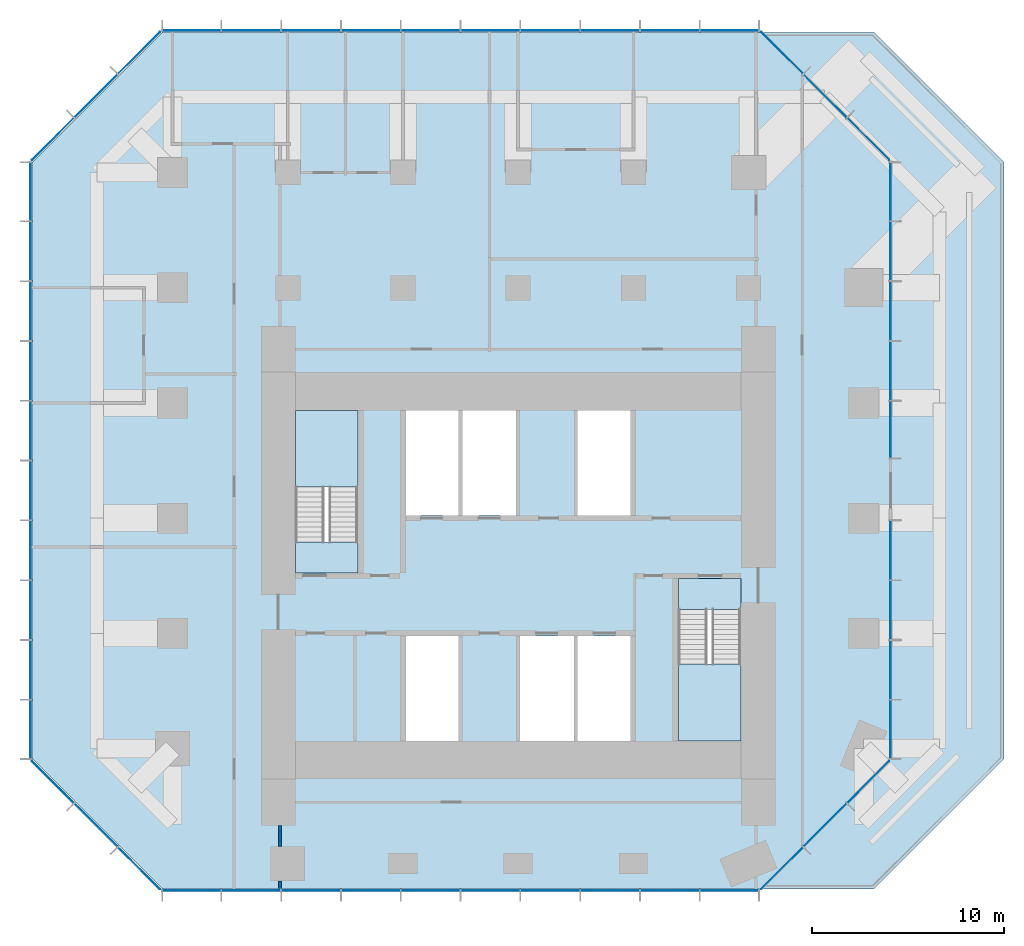
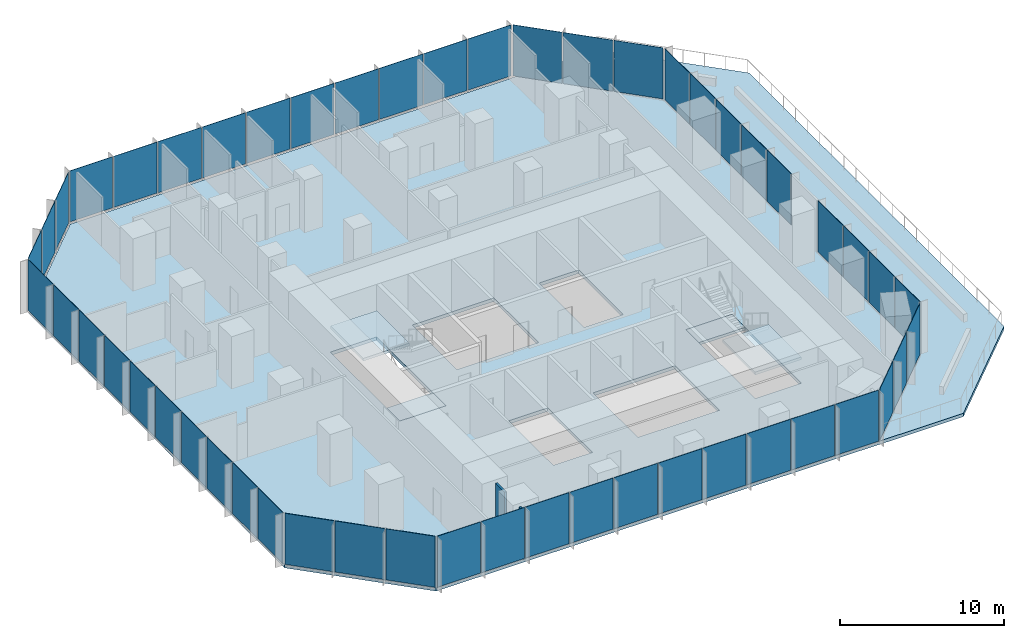
# One storey, part 7 of 11: 51 plates, 5 slabs, 2 walls, 11 elements without a shape of their own.
"""IFC4 building model written with IfcOpenShell, lengths in metres."""

from ifc_helpers import new_model, si_unit, direction, frame, frame_2d, origin, origin_2d, place, context, subcontext, project, spatial, polyline, rectangle, outline, extrude, material, layer, layer_set, type_object, element, aggregate, save


model = new_model("IFC4")

# Units and contexts
model_context = context("Model", 3, precision=1e-05, world=origin(), true_north=direction((0.0, 1.0)))
body_context = subcontext(model_context, "Body", "Model", "MODEL_VIEW")
ifc_project = project(units=[si_unit("LENGTHUNIT", "METRE"), si_unit("AREAUNIT", "SQUARE_METRE"), si_unit("VOLUMEUNIT", "CUBIC_METRE"), si_unit("PLANEANGLEUNIT", "RADIAN"), si_unit("MASSUNIT", "GRAM", prefix="KILO")], contexts=[model_context])

# Site, building, storey
site_placement = place(None, origin())
site = spatial("IfcSite", under=ifc_project, at=site_placement, CompositionType="ELEMENT")
building_placement = place(site_placement, origin())
building = spatial("IfcBuilding", under=site, at=building_placement, Name="Highveld Stack Headquarters", CompositionType="ELEMENT")
storey_placement = place(building_placement, frame((0.0, 0.0, 188.89990234375)))
storey = spatial("IfcBuildingStorey", under=building, at=storey_placement, Name="L46", CompositionType="ELEMENT", Elevation=188.89990234375)

# Curtain wall, plates
ifc_material_1 = material(Name="Aluminium bronze anodised", Category="aluminium")
ifc_layer_1 = layer(ifc_material_1, 0.199951171875)
ifc_layer_set_1 = layer_set([ifc_layer_1], Name="Aluminium bronze anodised")
curtain_wall_type_1 = type_object("IfcCurtainWallType", Name="CW1 TOWER UNITISED CURTAIN WALL", PredefinedType="NOTDEFINED", material=ifc_layer_set_1)
curtain_wall_1_placement = place(storey_placement, origin())
curtain_wall_1 = element("IfcCurtainWall", 1, at=curtain_wall_1_placement, inside=storey, type_object=curtain_wall_type_1, Name="Curtain wall CW1 L46 S", PredefinedType="NOTDEFINED")
ifc_material_2 = material(Name="Glass bronze tinted double glazed unit", Category="glass")
ifc_layer_2 = layer(ifc_material_2, 0.028076171875)
ifc_layer_set_2 = layer_set([ifc_layer_2], Name="Glass bronze tinted double glazed unit")
plate_type_1 = type_object("IfcPlateType", Name="CW1 PANEL BRONZE TINTED DOUBLE GLAZED UNIT", PredefinedType="CURTAIN_PANEL", material=ifc_layer_set_2)
plate_1_placement = place(storey_placement, frame((-11.005615234375, -13.39990234375, 0.10009765625), z_axis=(0.0, 0.0, 1.0), x_axis=(1.0, 0.0, 0.0)))
plate_1 = element("IfcPlate", 2, at=plate_1_placement, type_object=plate_type_1, Name="CW1 panel L46 1.1", PredefinedType="CURTAIN_PANEL", context=body_context, shape_type="SweptSolid", body=[
    extrude(rectangle(XDim=3.0185546875, YDim=0.028076171875, at=origin_2d()), origin(), (0.0, 0.0, 1.0), 3.800048828125),
])
plate_2_placement = place(storey_placement, frame((-7.906005859375, -13.39990234375, 0.10009765625), z_axis=(0.0, 0.0, 1.0), x_axis=(1.0, 0.0, 0.0)))
plate_2 = element("IfcPlate", 3, at=plate_2_placement, type_object=plate_type_1, Name="CW1 panel L46 2.1", PredefinedType="CURTAIN_PANEL", context=body_context, shape_type="SweptSolid", body=[
    extrude(rectangle(XDim=3.051025390625, YDim=0.028076171875, at=origin_2d()), origin(), (0.0, 0.0, 1.0), 3.800048828125),
])
plate_3_placement = place(storey_placement, frame((-4.7900390625, -13.39990234375, 0.10009765625), z_axis=(0.0, 0.0, 1.0), x_axis=(1.0, 0.0, 0.0)))
plate_3 = element("IfcPlate", 4, at=plate_3_placement, type_object=plate_type_1, Name="CW1 panel L46 3.1", PredefinedType="CURTAIN_PANEL", context=body_context, shape_type="SweptSolid", body=[
    extrude(rectangle(XDim=3.051025390625, YDim=0.028076171875, at=origin_2d()), origin(), (0.0, 0.0, 1.0), 3.800048828125),
])
plate_4_placement = place(storey_placement, frame((-1.674072265625, -13.39990234375, 0.10009765625), z_axis=(0.0, 0.0, 1.0), x_axis=(1.0, 0.0, 0.0)))
plate_4 = element("IfcPlate", 5, at=plate_4_placement, type_object=plate_type_1, Name="CW1 panel L46 4.1", PredefinedType="CURTAIN_PANEL", context=body_context, shape_type="SweptSolid", body=[
    extrude(rectangle(XDim=3.051025390625, YDim=0.028076171875, at=origin_2d()), origin(), (0.0, 0.0, 1.0), 3.800048828125),
])
plate_5_placement = place(storey_placement, frame((1.44189453125, -13.39990234375, 0.10009765625), z_axis=(0.0, 0.0, 1.0), x_axis=(1.0, 0.0, 0.0)))
plate_5 = element("IfcPlate", 6, at=plate_5_placement, type_object=plate_type_1, Name="CW1 panel L46 5.1", PredefinedType="CURTAIN_PANEL", context=body_context, shape_type="SweptSolid", body=[
    extrude(rectangle(XDim=3.051025390625, YDim=0.028076171875, at=origin_2d()), origin(), (0.0, 0.0, 1.0), 3.800048828125),
])
plate_6_placement = place(storey_placement, frame((4.55810546875, -13.39990234375, 0.10009765625), z_axis=(0.0, 0.0, 1.0), x_axis=(1.0, 0.0, 0.0)))
plate_6 = element("IfcPlate", 7, at=plate_6_placement, type_object=plate_type_1, Name="CW1 panel L46 6.1", PredefinedType="CURTAIN_PANEL", context=body_context, shape_type="SweptSolid", body=[
    extrude(rectangle(XDim=3.051025390625, YDim=0.028076171875, at=origin_2d()), origin(), (0.0, 0.0, 1.0), 3.800048828125),
])
plate_7_placement = place(storey_placement, frame((7.674072265625, -13.39990234375, 0.10009765625), z_axis=(0.0, 0.0, 1.0), x_axis=(1.0, 0.0, 0.0)))
plate_7 = element("IfcPlate", 8, at=plate_7_placement, type_object=plate_type_1, Name="CW1 panel L46 7.1", PredefinedType="CURTAIN_PANEL", context=body_context, shape_type="SweptSolid", body=[
    extrude(rectangle(XDim=3.051025390625, YDim=0.028076171875, at=origin_2d()), origin(), (0.0, 0.0, 1.0), 3.800048828125),
])
plate_8_placement = place(storey_placement, frame((10.789794921875, -13.39990234375, 0.10009765625), z_axis=(0.0, 0.0, 1.0), x_axis=(1.0, 0.0, 0.0)))
plate_8 = element("IfcPlate", 9, at=plate_8_placement, type_object=plate_type_1, Name="CW1 panel L46 8.1", PredefinedType="CURTAIN_PANEL", context=body_context, shape_type="SweptSolid", body=[
    extrude(rectangle(XDim=3.051025390625, YDim=0.028076171875, at=origin_2d()), origin(), (0.0, 0.0, 1.0), 3.800048828125),
])
plate_9_placement = place(storey_placement, frame((13.906005859375, -13.39990234375, 0.10009765625), z_axis=(0.0, 0.0, 1.0), x_axis=(1.0, 0.0, 0.0)))
plate_9 = element("IfcPlate", 10, at=plate_9_placement, type_object=plate_type_1, Name="CW1 panel L46 9.1", PredefinedType="CURTAIN_PANEL", context=body_context, shape_type="SweptSolid", body=[
    extrude(rectangle(XDim=3.051025390625, YDim=0.028076171875, at=origin_2d()), origin(), (0.0, 0.0, 1.0), 3.800048828125),
])
plate_10_placement = place(storey_placement, frame((17.005615234375, -13.39990234375, 0.10009765625), z_axis=(0.0, 0.0, 1.0), x_axis=(1.0, 0.0, 0.0)))
plate_10 = element("IfcPlate", 11, at=plate_10_placement, type_object=plate_type_1, Name="CW1 panel L46 10.1", PredefinedType="CURTAIN_PANEL", context=body_context, shape_type="SweptSolid", body=[
    extrude(rectangle(XDim=3.0185546875, YDim=0.028076171875, at=origin_2d()), origin(), (0.0, 0.0, 1.0), 3.800048828125),
])
aggregate(curtain_wall_1, [plate_1, plate_2, plate_3, plate_4, plate_5, plate_6, plate_7, plate_8, plate_9, plate_10])

curtain_wall_2_placement = place(storey_placement, origin())
curtain_wall_2 = element("IfcCurtainWall", 12, at=curtain_wall_2_placement, inside=storey, type_object=curtain_wall_type_1, Name="Curtain wall CW1 L46 E-1", PredefinedType="NOTDEFINED")
plate_11_placement = place(storey_placement, frame((25.39990234375, -5.005615234375, 0.10009765625), z_axis=(0.0, 0.0, 1.0), x_axis=(0.0, 1.0, 0.0)))
plate_11 = element("IfcPlate", 13, at=plate_11_placement, type_object=plate_type_1, Name="CW1 panel L46 1.1", PredefinedType="CURTAIN_PANEL", context=body_context, shape_type="SweptSolid", body=[
    extrude(rectangle(XDim=3.0185546875, YDim=0.028076171875, at=origin_2d()), origin(), (0.0, 0.0, 1.0), 3.800048828125),
])
plate_12_placement = place(storey_placement, frame((25.39990234375, -1.906005859375, 0.10009765625), z_axis=(0.0, 0.0, 1.0), x_axis=(0.0, 1.0, 0.0)))
plate_12 = element("IfcPlate", 14, at=plate_12_placement, type_object=plate_type_1, Name="CW1 panel L46 2.1", PredefinedType="CURTAIN_PANEL", context=body_context, shape_type="SweptSolid", body=[
    extrude(rectangle(XDim=3.051025390625, YDim=0.028076171875, at=origin_2d()), origin(), (0.0, 0.0, 1.0), 3.800048828125),
])
plate_13_placement = place(storey_placement, frame((25.39990234375, 1.2099609375, 0.10009765625), z_axis=(0.0, 0.0, 1.0), x_axis=(0.0, 1.0, 0.0)))
plate_13 = element("IfcPlate", 15, at=plate_13_placement, type_object=plate_type_1, Name="CW1 panel L46 3.1", PredefinedType="CURTAIN_PANEL", context=body_context, shape_type="SweptSolid", body=[
    extrude(rectangle(XDim=3.051025390625, YDim=0.028076171875, at=origin_2d()), origin(), (0.0, 0.0, 1.0), 3.800048828125),
])
plate_14_placement = place(storey_placement, frame((25.39990234375, 4.325927734375, 0.10009765625), z_axis=(0.0, 0.0, 1.0), x_axis=(0.0, 1.0, 0.0)))
plate_14 = element("IfcPlate", 16, at=plate_14_placement, type_object=plate_type_1, Name="CW1 panel L46 4.1", PredefinedType="CURTAIN_PANEL", context=body_context, shape_type="SweptSolid", body=[
    extrude(rectangle(XDim=3.051025390625, YDim=0.028076171875, at=origin_2d()), origin(), (0.0, 0.0, 1.0), 3.800048828125),
])
aggregate(curtain_wall_2, [plate_11, plate_12, plate_13, plate_14])

curtain_wall_3_placement = place(storey_placement, origin())
curtain_wall_3 = element("IfcCurtainWall", 17, at=curtain_wall_3_placement, inside=storey, type_object=curtain_wall_type_1, Name="Curtain wall CW1 L46 E-2", PredefinedType="NOTDEFINED")
plate_15_placement = place(storey_placement, frame((25.39990234375, 10.61181640625, 0.10009765625), z_axis=(0.0, 0.0, 1.0), x_axis=(0.0, 1.0, 0.0)))
plate_15 = element("IfcPlate", 18, at=plate_15_placement, type_object=plate_type_1, Name="CW1 panel L46 6.1", PredefinedType="CURTAIN_PANEL", context=body_context, shape_type="SweptSolid", body=[
    extrude(rectangle(XDim=2.943603515625, YDim=0.028076171875, at=origin_2d()), origin(), (0.0, 0.0, 1.0), 3.800048828125),
])
plate_16_placement = place(storey_placement, frame((25.39990234375, 13.674072265625, 0.10009765625), z_axis=(0.0, 0.0, 1.0), x_axis=(0.0, 1.0, 0.0)))
plate_16 = element("IfcPlate", 19, at=plate_16_placement, type_object=plate_type_1, Name="CW1 panel L46 7.1", PredefinedType="CURTAIN_PANEL", context=body_context, shape_type="SweptSolid", body=[
    extrude(rectangle(XDim=3.051025390625, YDim=0.028076171875, at=origin_2d()), origin(), (0.0, 0.0, 1.0), 3.800048828125),
])
plate_17_placement = place(storey_placement, frame((25.39990234375, 16.789794921875, 0.10009765625), z_axis=(0.0, 0.0, 1.0), x_axis=(0.0, 1.0, 0.0)))
plate_17 = element("IfcPlate", 20, at=plate_17_placement, type_object=plate_type_1, Name="CW1 panel L46 8.1", PredefinedType="CURTAIN_PANEL", context=body_context, shape_type="SweptSolid", body=[
    extrude(rectangle(XDim=3.051025390625, YDim=0.028076171875, at=origin_2d()), origin(), (0.0, 0.0, 1.0), 3.800048828125),
])
plate_18_placement = place(storey_placement, frame((25.39990234375, 19.906005859375, 0.10009765625), z_axis=(0.0, 0.0, 1.0), x_axis=(0.0, 1.0, 0.0)))
plate_18 = element("IfcPlate", 21, at=plate_18_placement, type_object=plate_type_1, Name="CW1 panel L46 9.1", PredefinedType="CURTAIN_PANEL", context=body_context, shape_type="SweptSolid", body=[
    extrude(rectangle(XDim=3.051025390625, YDim=0.028076171875, at=origin_2d()), origin(), (0.0, 0.0, 1.0), 3.800048828125),
])
plate_19_placement = place(storey_placement, frame((25.39990234375, 23.005615234375, 0.10009765625), z_axis=(0.0, 0.0, 1.0), x_axis=(0.0, 1.0, 0.0)))
plate_19 = element("IfcPlate", 22, at=plate_19_placement, type_object=plate_type_1, Name="CW1 panel L46 10.1", PredefinedType="CURTAIN_PANEL", context=body_context, shape_type="SweptSolid", body=[
    extrude(rectangle(XDim=3.0185546875, YDim=0.028076171875, at=origin_2d()), origin(), (0.0, 0.0, 1.0), 3.800048828125),
])
aggregate(curtain_wall_3, [plate_15, plate_16, plate_17, plate_18, plate_19])

curtain_wall_4_placement = place(storey_placement, origin())
curtain_wall_4 = element("IfcCurtainWall", 23, at=curtain_wall_4_placement, inside=storey, type_object=curtain_wall_type_1, Name="Curtain wall CW1 L46 N", PredefinedType="NOTDEFINED")
plate_20_placement = place(storey_placement, frame((17.005615234375, 31.39990234375, 0.10009765625), z_axis=(0.0, 0.0, 1.0), x_axis=(-1.0, 0.0, 0.0)))
plate_20 = element("IfcPlate", 24, at=plate_20_placement, type_object=plate_type_1, Name="CW1 panel L46 1.1", PredefinedType="CURTAIN_PANEL", context=body_context, shape_type="SweptSolid", body=[
    extrude(rectangle(XDim=3.0185546875, YDim=0.028076171875, at=origin_2d()), origin(), (0.0, 0.0, 1.0), 3.800048828125),
])
plate_21_placement = place(storey_placement, frame((13.906005859375, 31.39990234375, 0.10009765625), z_axis=(0.0, 0.0, 1.0), x_axis=(-1.0, 0.0, 0.0)))
plate_21 = element("IfcPlate", 25, at=plate_21_placement, type_object=plate_type_1, Name="CW1 panel L46 2.1", PredefinedType="CURTAIN_PANEL", context=body_context, shape_type="SweptSolid", body=[
    extrude(rectangle(XDim=3.051025390625, YDim=0.028076171875, at=origin_2d()), origin(), (0.0, 0.0, 1.0), 3.800048828125),
])
plate_22_placement = place(storey_placement, frame((10.7900390625, 31.39990234375, 0.10009765625), z_axis=(0.0, 0.0, 1.0), x_axis=(-1.0, 0.0, 0.0)))
plate_22 = element("IfcPlate", 26, at=plate_22_placement, type_object=plate_type_1, Name="CW1 panel L46 3.1", PredefinedType="CURTAIN_PANEL", context=body_context, shape_type="SweptSolid", body=[
    extrude(rectangle(XDim=3.051025390625, YDim=0.028076171875, at=origin_2d()), origin(), (0.0, 0.0, 1.0), 3.800048828125),
])
plate_23_placement = place(storey_placement, frame((7.674072265625, 31.39990234375, 0.10009765625), z_axis=(0.0, 0.0, 1.0), x_axis=(-1.0, 0.0, 0.0)))
plate_23 = element("IfcPlate", 27, at=plate_23_placement, type_object=plate_type_1, Name="CW1 panel L46 4.1", PredefinedType="CURTAIN_PANEL", context=body_context, shape_type="SweptSolid", body=[
    extrude(rectangle(XDim=3.051025390625, YDim=0.028076171875, at=origin_2d()), origin(), (0.0, 0.0, 1.0), 3.800048828125),
])
plate_24_placement = place(storey_placement, frame((4.55810546875, 31.39990234375, 0.10009765625), z_axis=(0.0, 0.0, 1.0), x_axis=(-1.0, 0.0, 0.0)))
plate_24 = element("IfcPlate", 28, at=plate_24_placement, type_object=plate_type_1, Name="CW1 panel L46 5.1", PredefinedType="CURTAIN_PANEL", context=body_context, shape_type="SweptSolid", body=[
    extrude(rectangle(XDim=3.051025390625, YDim=0.028076171875, at=origin_2d()), origin(), (0.0, 0.0, 1.0), 3.800048828125),
])
plate_25_placement = place(storey_placement, frame((1.44189453125, 31.39990234375, 0.10009765625), z_axis=(0.0, 0.0, 1.0), x_axis=(-1.0, 0.0, 0.0)))
plate_25 = element("IfcPlate", 29, at=plate_25_placement, type_object=plate_type_1, Name="CW1 panel L46 6.1", PredefinedType="CURTAIN_PANEL", context=body_context, shape_type="SweptSolid", body=[
    extrude(rectangle(XDim=3.051025390625, YDim=0.028076171875, at=origin_2d()), origin(), (0.0, 0.0, 1.0), 3.800048828125),
])
plate_26_placement = place(storey_placement, frame((-1.674072265625, 31.39990234375, 0.10009765625), z_axis=(0.0, 0.0, 1.0), x_axis=(-1.0, 0.0, 0.0)))
plate_26 = element("IfcPlate", 30, at=plate_26_placement, type_object=plate_type_1, Name="CW1 panel L46 7.1", PredefinedType="CURTAIN_PANEL", context=body_context, shape_type="SweptSolid", body=[
    extrude(rectangle(XDim=3.051025390625, YDim=0.028076171875, at=origin_2d()), origin(), (0.0, 0.0, 1.0), 3.800048828125),
])
plate_27_placement = place(storey_placement, frame((-4.789794921875, 31.39990234375, 0.10009765625), z_axis=(0.0, 0.0, 1.0), x_axis=(-1.0, 0.0, 0.0)))
plate_27 = element("IfcPlate", 31, at=plate_27_placement, type_object=plate_type_1, Name="CW1 panel L46 8.1", PredefinedType="CURTAIN_PANEL", context=body_context, shape_type="SweptSolid", body=[
    extrude(rectangle(XDim=3.051025390625, YDim=0.028076171875, at=origin_2d()), origin(), (0.0, 0.0, 1.0), 3.800048828125),
])
plate_28_placement = place(storey_placement, frame((-7.906005859375, 31.39990234375, 0.10009765625), z_axis=(0.0, 0.0, 1.0), x_axis=(-1.0, 0.0, 0.0)))
plate_28 = element("IfcPlate", 32, at=plate_28_placement, type_object=plate_type_1, Name="CW1 panel L46 9.1", PredefinedType="CURTAIN_PANEL", context=body_context, shape_type="SweptSolid", body=[
    extrude(rectangle(XDim=3.051025390625, YDim=0.028076171875, at=origin_2d()), origin(), (0.0, 0.0, 1.0), 3.800048828125),
])
plate_29_placement = place(storey_placement, frame((-11.005615234375, 31.39990234375, 0.10009765625), z_axis=(0.0, 0.0, 1.0), x_axis=(-1.0, 0.0, 0.0)))
plate_29 = element("IfcPlate", 33, at=plate_29_placement, type_object=plate_type_1, Name="CW1 panel L46 10.1", PredefinedType="CURTAIN_PANEL", context=body_context, shape_type="SweptSolid", body=[
    extrude(rectangle(XDim=3.0185546875, YDim=0.028076171875, at=origin_2d()), origin(), (0.0, 0.0, 1.0), 3.800048828125),
])
aggregate(curtain_wall_4, [plate_20, plate_21, plate_22, plate_23, plate_24, plate_25, plate_26, plate_27, plate_28, plate_29])

curtain_wall_5_placement = place(storey_placement, origin())
curtain_wall_5 = element("IfcCurtainWall", 34, at=curtain_wall_5_placement, inside=storey, type_object=curtain_wall_type_1, Name="Curtain wall CW1 L46 W", PredefinedType="NOTDEFINED")
plate_30_placement = place(storey_placement, frame((-19.39990234375, 23.005615234375, 0.10009765625), z_axis=(0.0, 0.0, 1.0), x_axis=(0.0, -1.0, 0.0)))
plate_30 = element("IfcPlate", 35, at=plate_30_placement, type_object=plate_type_1, Name="CW1 panel L46 1.1", PredefinedType="CURTAIN_PANEL", context=body_context, shape_type="SweptSolid", body=[
    extrude(rectangle(XDim=3.0185546875, YDim=0.028076171875, at=origin_2d()), origin(), (0.0, 0.0, 1.0), 3.800048828125),
])
plate_31_placement = place(storey_placement, frame((-19.39990234375, 19.906005859375, 0.10009765625), z_axis=(0.0, 0.0, 1.0), x_axis=(0.0, -1.0, 0.0)))
plate_31 = element("IfcPlate", 36, at=plate_31_placement, type_object=plate_type_1, Name="CW1 panel L46 2.1", PredefinedType="CURTAIN_PANEL", context=body_context, shape_type="SweptSolid", body=[
    extrude(rectangle(XDim=3.051025390625, YDim=0.028076171875, at=origin_2d()), origin(), (0.0, 0.0, 1.0), 3.800048828125),
])
plate_32_placement = place(storey_placement, frame((-19.39990234375, 16.7900390625, 0.10009765625), z_axis=(0.0, 0.0, 1.0), x_axis=(0.0, -1.0, 0.0)))
plate_32 = element("IfcPlate", 37, at=plate_32_placement, type_object=plate_type_1, Name="CW1 panel L46 3.1", PredefinedType="CURTAIN_PANEL", context=body_context, shape_type="SweptSolid", body=[
    extrude(rectangle(XDim=3.051025390625, YDim=0.028076171875, at=origin_2d()), origin(), (0.0, 0.0, 1.0), 3.800048828125),
])
plate_33_placement = place(storey_placement, frame((-19.39990234375, 13.674072265625, 0.10009765625), z_axis=(0.0, 0.0, 1.0), x_axis=(0.0, -1.0, 0.0)))
plate_33 = element("IfcPlate", 38, at=plate_33_placement, type_object=plate_type_1, Name="CW1 panel L46 4.1", PredefinedType="CURTAIN_PANEL", context=body_context, shape_type="SweptSolid", body=[
    extrude(rectangle(XDim=3.051025390625, YDim=0.028076171875, at=origin_2d()), origin(), (0.0, 0.0, 1.0), 3.800048828125),
])
plate_34_placement = place(storey_placement, frame((-19.39990234375, 10.55810546875, 0.10009765625), z_axis=(0.0, 0.0, 1.0), x_axis=(0.0, -1.0, 0.0)))
plate_34 = element("IfcPlate", 39, at=plate_34_placement, type_object=plate_type_1, Name="CW1 panel L46 5.1", PredefinedType="CURTAIN_PANEL", context=body_context, shape_type="SweptSolid", body=[
    extrude(rectangle(XDim=3.051025390625, YDim=0.028076171875, at=origin_2d()), origin(), (0.0, 0.0, 1.0), 3.800048828125),
])
plate_35_placement = place(storey_placement, frame((-19.39990234375, 7.44189453125, 0.10009765625), z_axis=(0.0, 0.0, 1.0), x_axis=(0.0, -1.0, 0.0)))
plate_35 = element("IfcPlate", 40, at=plate_35_placement, type_object=plate_type_1, Name="CW1 panel L46 6.1", PredefinedType="CURTAIN_PANEL", context=body_context, shape_type="SweptSolid", body=[
    extrude(rectangle(XDim=3.051025390625, YDim=0.028076171875, at=origin_2d()), origin(), (0.0, 0.0, 1.0), 3.800048828125),
])
plate_36_placement = place(storey_placement, frame((-19.39990234375, 4.325927734375, 0.10009765625), z_axis=(0.0, 0.0, 1.0), x_axis=(0.0, -1.0, 0.0)))
plate_36 = element("IfcPlate", 41, at=plate_36_placement, type_object=plate_type_1, Name="CW1 panel L46 7.1", PredefinedType="CURTAIN_PANEL", context=body_context, shape_type="SweptSolid", body=[
    extrude(rectangle(XDim=3.051025390625, YDim=0.028076171875, at=origin_2d()), origin(), (0.0, 0.0, 1.0), 3.800048828125),
])
plate_37_placement = place(storey_placement, frame((-19.39990234375, 1.210205078125, 0.10009765625), z_axis=(0.0, 0.0, 1.0), x_axis=(0.0, -1.0, 0.0)))
plate_37 = element("IfcPlate", 42, at=plate_37_placement, type_object=plate_type_1, Name="CW1 panel L46 8.1", PredefinedType="CURTAIN_PANEL", context=body_context, shape_type="SweptSolid", body=[
    extrude(rectangle(XDim=3.051025390625, YDim=0.028076171875, at=origin_2d()), origin(), (0.0, 0.0, 1.0), 3.800048828125),
])
plate_38_placement = place(storey_placement, frame((-19.39990234375, -1.906005859375, 0.10009765625), z_axis=(0.0, 0.0, 1.0), x_axis=(0.0, -1.0, 0.0)))
plate_38 = element("IfcPlate", 43, at=plate_38_placement, type_object=plate_type_1, Name="CW1 panel L46 9.1", PredefinedType="CURTAIN_PANEL", context=body_context, shape_type="SweptSolid", body=[
    extrude(rectangle(XDim=3.051025390625, YDim=0.028076171875, at=origin_2d()), origin(), (0.0, 0.0, 1.0), 3.800048828125),
])
plate_39_placement = place(storey_placement, frame((-19.39990234375, -5.005615234375, 0.10009765625), z_axis=(0.0, 0.0, 1.0), x_axis=(0.0, -1.0, 0.0)))
plate_39 = element("IfcPlate", 44, at=plate_39_placement, type_object=plate_type_1, Name="CW1 panel L46 10.1", PredefinedType="CURTAIN_PANEL", context=body_context, shape_type="SweptSolid", body=[
    extrude(rectangle(XDim=3.0185546875, YDim=0.028076171875, at=origin_2d()), origin(), (0.0, 0.0, 1.0), 3.800048828125),
])
aggregate(curtain_wall_5, [plate_30, plate_31, plate_32, plate_33, plate_34, plate_35, plate_36, plate_37, plate_38, plate_39])

ifc_material_3 = material(Name="Aluminium bronze anodised", Category="aluminium")
ifc_layer_3 = layer(ifc_material_3, 0.199951171875)
ifc_layer_set_3 = layer_set([ifc_layer_3], Name="Aluminium bronze anodised")
curtain_wall_type_2 = type_object("IfcCurtainWallType", Name="CW2 TOWER CHAMFER UNITISED CURTAIN WALL", PredefinedType="NOTDEFINED", material=ifc_layer_set_3)
curtain_wall_6_placement = place(storey_placement, origin())
curtain_wall_6 = element("IfcCurtainWall", 45, at=curtain_wall_6_placement, inside=storey, type_object=curtain_wall_type_2, Name="Curtain wall CW2 L46 SE", PredefinedType="NOTDEFINED")
ifc_material_4 = material(Name="Glass bronze tinted double glazed unit", Category="glass")
ifc_layer_4 = layer(ifc_material_4, 0.028076171875)
ifc_layer_set_4 = layer_set([ifc_layer_4], Name="Glass bronze tinted double glazed unit")
plate_type_2 = type_object("IfcPlateType", Name="CW2 PANEL BRONZE TINTED DOUBLE GLAZED UNIT", PredefinedType="CURTAIN_PANEL", material=ifc_layer_set_4)
plate_40_placement = place(storey_placement, frame((19.740478515625, -12.239501953125, 0.10009765625), z_axis=(0.0, 0.0, 1.0), x_axis=(0.707106781187, 0.707106781187, 0.0)))
plate_40 = element("IfcPlate", 46, at=plate_40_placement, type_object=plate_type_2, Name="CW2 panel L46 1.1", PredefinedType="CURTAIN_PANEL", context=body_context, shape_type="SweptSolid", body=[
    extrude(rectangle(XDim=3.08251953125, YDim=0.028076171875, at=origin_2d()), origin(), (0.0, 0.0, 1.0), 3.800048828125),
])
plate_41_placement = place(storey_placement, frame((21.989990234375, -9.989990234375, 0.10009765625), z_axis=(0.0, 0.0, 1.0), x_axis=(0.707106781187, 0.707106781187, 0.0)))
plate_41 = element("IfcPlate", 47, at=plate_41_placement, type_object=plate_type_2, Name="CW2 panel L46 2.1", PredefinedType="CURTAIN_PANEL", context=body_context, shape_type="SweptSolid", body=[
    extrude(rectangle(XDim=3.14990234375, YDim=0.028076171875, at=origin_2d()), origin(), (0.0, 0.0, 1.0), 3.800048828125),
])
plate_42_placement = place(storey_placement, frame((24.239501953125, -7.740478515625, 0.10009765625), z_axis=(0.0, 0.0, 1.0), x_axis=(0.707106781187, 0.707106781187, 0.0)))
plate_42 = element("IfcPlate", 48, at=plate_42_placement, type_object=plate_type_2, Name="CW2 panel L46 3.1", PredefinedType="CURTAIN_PANEL", context=body_context, shape_type="SweptSolid", body=[
    extrude(rectangle(XDim=3.08251953125, YDim=0.028076171875, at=origin_2d()), origin(), (0.0, 0.0, 1.0), 3.800048828125),
])
aggregate(curtain_wall_6, [plate_40, plate_41, plate_42])

curtain_wall_7_placement = place(storey_placement, origin())
curtain_wall_7 = element("IfcCurtainWall", 49, at=curtain_wall_7_placement, inside=storey, type_object=curtain_wall_type_2, Name="Curtain wall CW2 L46 NE", PredefinedType="NOTDEFINED")
plate_43_placement = place(storey_placement, frame((24.239501953125, 25.740478515625, 0.10009765625), z_axis=(0.0, 0.0, 1.0), x_axis=(-0.707106781187, 0.707106781187, 0.0)))
plate_43 = element("IfcPlate", 50, at=plate_43_placement, type_object=plate_type_2, Name="CW2 panel L46 1.1", PredefinedType="CURTAIN_PANEL", context=body_context, shape_type="SweptSolid", body=[
    extrude(rectangle(XDim=3.08251953125, YDim=0.028076171875, at=origin_2d()), origin(), (0.0, 0.0, 1.0), 3.800048828125),
])
plate_44_placement = place(storey_placement, frame((21.989990234375, 27.989990234375, 0.10009765625), z_axis=(0.0, 0.0, 1.0), x_axis=(-0.707106781187, 0.707106781187, 0.0)))
plate_44 = element("IfcPlate", 51, at=plate_44_placement, type_object=plate_type_2, Name="CW2 panel L46 2.1", PredefinedType="CURTAIN_PANEL", context=body_context, shape_type="SweptSolid", body=[
    extrude(rectangle(XDim=3.14990234375, YDim=0.028076171875, at=origin_2d()), origin(), (0.0, 0.0, 1.0), 3.800048828125),
])
plate_45_placement = place(storey_placement, frame((19.740478515625, 30.239501953125, 0.10009765625), z_axis=(0.0, 0.0, 1.0), x_axis=(-0.707106781187, 0.707106781187, 0.0)))
plate_45 = element("IfcPlate", 52, at=plate_45_placement, type_object=plate_type_2, Name="CW2 panel L46 3.1", PredefinedType="CURTAIN_PANEL", context=body_context, shape_type="SweptSolid", body=[
    extrude(rectangle(XDim=3.08251953125, YDim=0.028076171875, at=origin_2d()), origin(), (0.0, 0.0, 1.0), 3.800048828125),
])
aggregate(curtain_wall_7, [plate_43, plate_44, plate_45])

curtain_wall_8_placement = place(storey_placement, origin())
curtain_wall_8 = element("IfcCurtainWall", 53, at=curtain_wall_8_placement, inside=storey, type_object=curtain_wall_type_2, Name="Curtain wall CW2 L46 NW", PredefinedType="NOTDEFINED")
plate_46_placement = place(storey_placement, frame((-13.740478515625, 30.239501953125, 0.10009765625), z_axis=(0.0, 0.0, 1.0), x_axis=(-0.707106781187, -0.707106781187, 0.0)))
plate_46 = element("IfcPlate", 54, at=plate_46_placement, type_object=plate_type_2, Name="CW2 panel L46 1.1", PredefinedType="CURTAIN_PANEL", context=body_context, shape_type="SweptSolid", body=[
    extrude(rectangle(XDim=3.08251953125, YDim=0.028076171875, at=origin_2d()), origin(), (0.0, 0.0, 1.0), 3.800048828125),
])
plate_47_placement = place(storey_placement, frame((-15.989990234375, 27.989990234375, 0.10009765625), z_axis=(0.0, 0.0, 1.0), x_axis=(-0.707106781187, -0.707106781187, 0.0)))
plate_47 = element("IfcPlate", 55, at=plate_47_placement, type_object=plate_type_2, Name="CW2 panel L46 2.1", PredefinedType="CURTAIN_PANEL", context=body_context, shape_type="SweptSolid", body=[
    extrude(rectangle(XDim=3.14990234375, YDim=0.028076171875, at=origin_2d()), origin(), (0.0, 0.0, 1.0), 3.800048828125),
])
plate_48_placement = place(storey_placement, frame((-18.239501953125, 25.740478515625, 0.10009765625), z_axis=(0.0, 0.0, 1.0), x_axis=(-0.707106781187, -0.707106781187, 0.0)))
plate_48 = element("IfcPlate", 56, at=plate_48_placement, type_object=plate_type_2, Name="CW2 panel L46 3.1", PredefinedType="CURTAIN_PANEL", context=body_context, shape_type="SweptSolid", body=[
    extrude(rectangle(XDim=3.08251953125, YDim=0.028076171875, at=origin_2d()), origin(), (0.0, 0.0, 1.0), 3.800048828125),
])
aggregate(curtain_wall_8, [plate_46, plate_47, plate_48])

curtain_wall_9_placement = place(storey_placement, origin())
curtain_wall_9 = element("IfcCurtainWall", 57, at=curtain_wall_9_placement, inside=storey, type_object=curtain_wall_type_2, Name="Curtain wall CW2 L46 SW", PredefinedType="NOTDEFINED")
plate_49_placement = place(storey_placement, frame((-18.239501953125, -7.740478515625, 0.10009765625), z_axis=(0.0, 0.0, 1.0), x_axis=(0.707106781187, -0.707106781187, 0.0)))
plate_49 = element("IfcPlate", 58, at=plate_49_placement, type_object=plate_type_2, Name="CW2 panel L46 1.1", PredefinedType="CURTAIN_PANEL", context=body_context, shape_type="SweptSolid", body=[
    extrude(rectangle(XDim=3.08251953125, YDim=0.028076171875, at=origin_2d()), origin(), (0.0, 0.0, 1.0), 3.800048828125),
])
plate_50_placement = place(storey_placement, frame((-15.989990234375, -9.989990234375, 0.10009765625), z_axis=(0.0, 0.0, 1.0), x_axis=(0.707106781187, -0.707106781187, 0.0)))
plate_50 = element("IfcPlate", 59, at=plate_50_placement, type_object=plate_type_2, Name="CW2 panel L46 2.1", PredefinedType="CURTAIN_PANEL", context=body_context, shape_type="SweptSolid", body=[
    extrude(rectangle(XDim=3.14990234375, YDim=0.028076171875, at=origin_2d()), origin(), (0.0, 0.0, 1.0), 3.800048828125),
])
plate_51_placement = place(storey_placement, frame((-13.740478515625, -12.239501953125, 0.10009765625), z_axis=(0.0, 0.0, 1.0), x_axis=(0.707106781187, -0.707106781187, 0.0)))
plate_51 = element("IfcPlate", 60, at=plate_51_placement, type_object=plate_type_2, Name="CW2 panel L46 3.1", PredefinedType="CURTAIN_PANEL", context=body_context, shape_type="SweptSolid", body=[
    extrude(rectangle(XDim=3.08251953125, YDim=0.028076171875, at=origin_2d()), origin(), (0.0, 0.0, 1.0), 3.800048828125),
])
aggregate(curtain_wall_9, [plate_49, plate_50, plate_51])

# Slab
ifc_material_5 = material(Name="Concrete C60/75", Category="concrete")
ifc_layer_5 = layer(ifc_material_5, 0.25)
ifc_layer_set_5 = layer_set([ifc_layer_5], Name="Concrete C60/75")
slab_type_1 = type_object("IfcSlabType", Name="PT FLAT SLAB 250", PredefinedType="FLOOR", material=ifc_layer_set_5)
slab_1_placement = place(storey_placement, frame((0.0, 0.0, -0.25)))
element("IfcSlab", 61, at=slab_1_placement, inside=storey, type_object=slab_type_1, Name="Floor slab L46", PredefinedType="FLOOR", context=body_context, shape_type="SweptSolid", body=[
    extrude(outline(polyline([(-12.53857421875, -13.300048828125), (-19.300048828125, -6.53857421875), (-19.300048828125, 24.53857421875), (-12.53857421875, 31.300048828125), (18.5244140625, 31.300048828125), (18.514404296875, 31.31005859375), (24.54248046875, 31.31005859375), (31.31005859375, 24.54248046875), (31.31005859375, -6.54248046875), (24.54248046875, -13.31005859375), (18.514404296875, -13.31005859375), (18.5244140625, -13.300048828125), (-12.53857421875, -13.300048828125)]), holes=[polyline([(0.14990234375, 6.14990234375), (5.89990234375, 6.14990234375), (5.89990234375, 11.60009765625), (0.14990234375, 11.60009765625), (0.14990234375, 6.14990234375)]), polyline([(9.10009765625, 6.14990234375), (11.85009765625, 6.14990234375), (11.85009765625, 11.60009765625), (9.10009765625, 11.60009765625), (9.10009765625, 6.14990234375)]), polyline([(6.10009765625, -5.60009765625), (11.85009765625, -5.60009765625), (11.85009765625, -0.14990234375), (6.10009765625, -0.14990234375), (6.10009765625, -5.60009765625)]), polyline([(0.14990234375, -5.60009765625), (2.89990234375, -5.60009765625), (2.89990234375, -0.14990234375), (0.14990234375, -0.14990234375), (0.14990234375, -5.60009765625)]), polyline([(-5.60009765625, 3.14990234375), (-2.35009765625, 3.14990234375), (-2.35009765625, 11.60009765625), (-5.60009765625, 11.60009765625), (-5.60009765625, 3.14990234375)]), polyline([(14.35009765625, -5.60009765625), (17.60009765625, -5.60009765625), (17.60009765625, 2.85009765625), (14.35009765625, 2.85009765625), (14.35009765625, -5.60009765625)])]), origin(), (0.0, 0.0, 1.0), 0.25),
])

# Stair, slabs
ifc_material_6 = material(Name="Concrete C40/50, precast", Category="concrete")
stair_type_1 = type_object("IfcStairType", Name="STAIR S1 HALF TURN 1500", PredefinedType="HALF_TURN_STAIR", material=ifc_material_6)
stair_1_placement = place(storey_placement, origin())
stair_1 = element("IfcStair", 62, at=stair_1_placement, inside=storey, type_object=stair_type_1, Name="Stair S1 L46", PredefinedType="HALF_TURN_STAIR")
ifc_material_7 = material(Name="Concrete C40/50, precast", Category="concrete")
ifc_layer_6 = layer(ifc_material_7, 0.199951171875)
ifc_layer_set_6 = layer_set([ifc_layer_6], Name="Concrete C40/50, precast")
slab_type_2 = type_object("IfcSlabType", Name="STAIR LANDING 200", PredefinedType="LANDING", material=ifc_layer_set_6)
slab_2_placement = place(storey_placement, frame((0.0, 0.0, 1.75)))
slab_2 = element("IfcSlab", 63, at=slab_2_placement, type_object=slab_type_2, Name="S1 landing 1", PredefinedType="LANDING", context=body_context, shape_type="SweptSolid", body=[
    extrude(outline(polyline([(-5.60009765625, 7.610107421875), (-2.35009765625, 7.610107421875), (-2.35009765625, 11.60009765625), (-5.60009765625, 11.60009765625), (-5.60009765625, 7.610107421875)])), origin(), (0.0, 0.0, 1.0), 0.2001953125),
])
slab_3_placement = place(storey_placement, frame((0.0, 0.0, -0.199951171875)))
slab_3 = element("IfcSlab", 64, at=slab_3_placement, type_object=slab_type_2, Name="S1 landing 2", PredefinedType="LANDING", context=body_context, shape_type="SweptSolid", body=[
    extrude(outline(polyline([(-5.60009765625, 3.14990234375), (-2.35009765625, 3.14990234375), (-2.35009765625, 4.75), (-5.60009765625, 4.75), (-5.60009765625, 3.14990234375)])), origin(), (0.0, 0.0, 1.0), 0.199951171875),
])
aggregate(stair_1, [slab_2, slab_3])

ifc_material_8 = material(Name="Concrete C40/50, precast", Category="concrete")
stair_type_2 = type_object("IfcStairType", Name="STAIR S2 HALF TURN 1500", PredefinedType="HALF_TURN_STAIR", material=ifc_material_8)
stair_2_placement = place(storey_placement, origin())
stair_2 = element("IfcStair", 65, at=stair_2_placement, inside=storey, type_object=stair_type_2, Name="Stair S2 L46", PredefinedType="HALF_TURN_STAIR")
slab_4_placement = place(storey_placement, frame((0.0, 0.0, 1.75)))
slab_4 = element("IfcSlab", 66, at=slab_4_placement, type_object=slab_type_2, Name="S2 landing 1", PredefinedType="LANDING", context=body_context, shape_type="SweptSolid", body=[
    extrude(outline(polyline([(14.35009765625, -5.60009765625), (17.60009765625, -5.60009765625), (17.60009765625, -1.610107421875), (14.35009765625, -1.610107421875), (14.35009765625, -5.60009765625)])), origin(), (0.0, 0.0, 1.0), 0.2001953125),
])
slab_5_placement = place(storey_placement, frame((0.0, 0.0, -0.199951171875)))
slab_5 = element("IfcSlab", 67, at=slab_5_placement, type_object=slab_type_2, Name="S2 landing 2", PredefinedType="LANDING", context=body_context, shape_type="SweptSolid", body=[
    extrude(outline(polyline([(14.35009765625, 1.25), (17.60009765625, 1.25), (17.60009765625, 2.85009765625), (14.35009765625, 2.85009765625), (14.35009765625, 1.25)])), origin(), (0.0, 0.0, 1.0), 0.199951171875),
])
aggregate(stair_2, [slab_4, slab_5])

# Walls
ifc_material_9 = material(Name="Gypsum plasterboard on steel studs", Category="steel")
ifc_layer_7 = layer(ifc_material_9, 0.14990234375)
ifc_layer_set_7 = layer_set([ifc_layer_7], Name="Gypsum plasterboard on steel studs")
wall_type = type_object("IfcWallType", Name="PARTITION 150 PLASTERBOARD", PredefinedType="PARTITIONING", material=ifc_layer_set_7)
wall_1_placement = place(storey_placement, frame((-6.39990234375, -13.35009765625, 0.0), z_axis=(0.0, 0.0, 1.0), x_axis=(0.0, 1.0, 0.0)))
element("IfcWall", 68, at=wall_1_placement, inside=storey, type_object=wall_type, Name="Partition office neighbourhood L46", PredefinedType="PARTITIONING", context=body_context, shape_type="SweptSolid", body=[
    extrude(rectangle(XDim=0.4501953125, YDim=0.14990234375, at=frame_2d((0.22509765625, 0.0))), origin(), (0.0, 0.0, 1.0), 3.650146484375),
])
wall_2_placement = place(storey_placement, frame((-6.39990234375, -11.10009765625, 0.0), z_axis=(0.0, 0.0, 1.0), x_axis=(0.0, 1.0, 0.0)))
element("IfcWall", 69, at=wall_2_placement, inside=storey, type_object=wall_type, Name="Partition office neighbourhood L46", PredefinedType="PARTITIONING", context=body_context, shape_type="SweptSolid", body=[
    extrude(rectangle(XDim=1.10009765625, YDim=0.14990234375, at=frame_2d((0.550048828125, 0.0))), origin(), (0.0, 0.0, 1.0), 3.650146484375),
])

save(model, "model.ifc")
